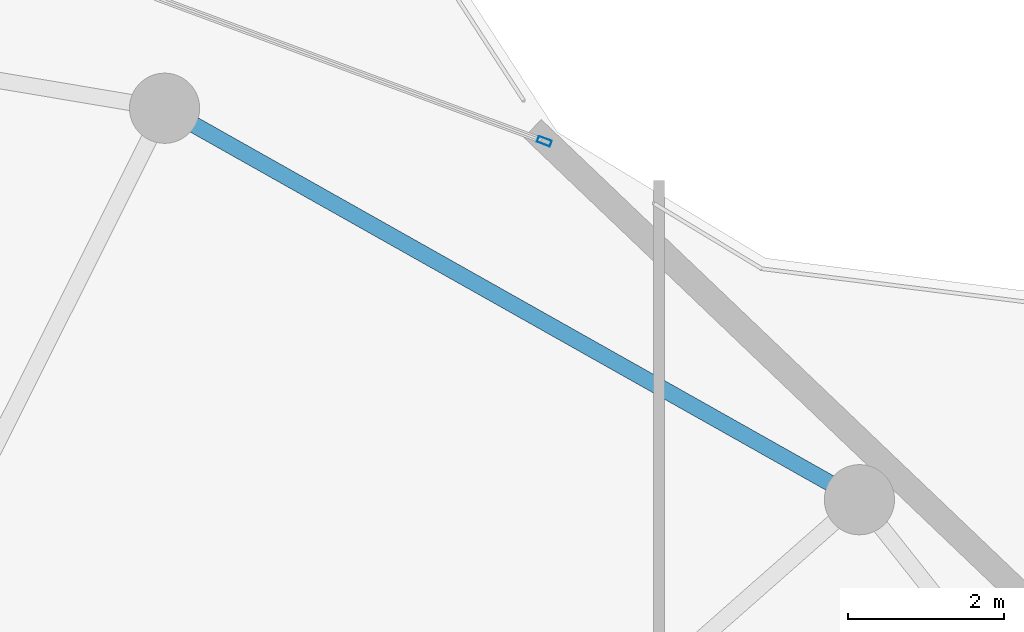
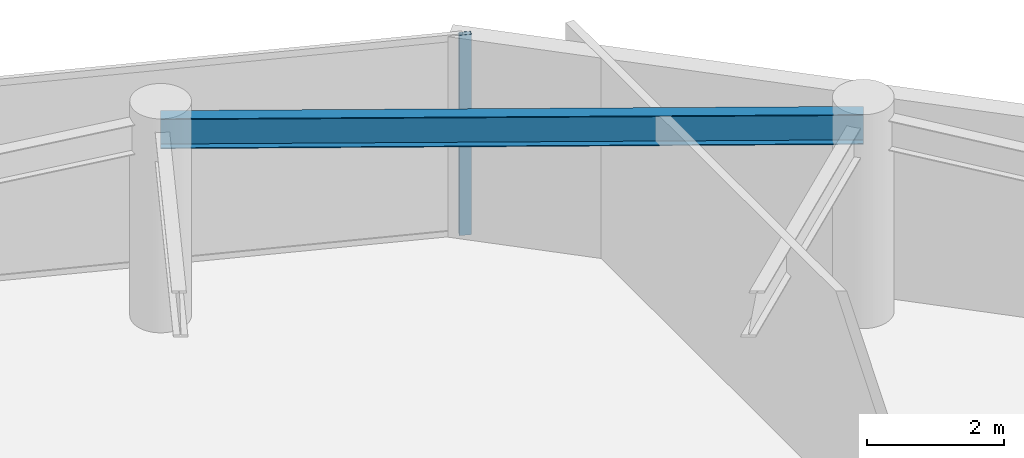
# One storey, part 22 of 29: 1 beam, 1 member, 1 element without a shape of its own.
"""IFC4 building model written with IfcOpenShell, lengths in metres."""

from ifc_helpers import new_model, si_unit, direction, frame, origin, origin_2d, place, context, subcontext, project, spatial, hollow_rectangle, i_section, extrude, material, layer, layer_set, material_profile, profile_set, type_object, element, aggregate, save


model = new_model("IFC4")

# Units and contexts
model_context = context("Model", 3, precision=1e-05, world=origin(), true_north=direction((0.0, 1.0)))
body_context = subcontext(model_context, "Body", "Model", "MODEL_VIEW")
ifc_project = project(units=[si_unit("LENGTHUNIT", "METRE"), si_unit("AREAUNIT", "SQUARE_METRE"), si_unit("VOLUMEUNIT", "CUBIC_METRE"), si_unit("PLANEANGLEUNIT", "RADIAN"), si_unit("MASSUNIT", "GRAM", prefix="KILO")], contexts=[model_context])

# Site, building, storey
site_placement = place(None, origin())
site = spatial("IfcSite", under=ifc_project, at=site_placement, CompositionType="ELEMENT")
building_placement = place(site_placement, origin())
building = spatial("IfcBuilding", under=site, at=building_placement, Name="Kazevale Care Tower and Concert Hall", CompositionType="ELEMENT")
storey_placement = place(building_placement, frame((0.0, 0.0, 281.39990234375)))
storey = spatial("IfcBuildingStorey", under=building, at=storey_placement, Name="L74", CompositionType="ELEMENT", Elevation=281.39990234375)

# Curtain wall, member
ifc_material_1 = material(Name="Aluminium 6063-T6 and Low-E Glass", Category="aluminium")
ifc_layer = layer(ifc_material_1, 0.179931640625)
ifc_layer_set = layer_set([ifc_layer], Name="Aluminium 6063-T6 and Low-E Glass")
curtain_wall_type = type_object("IfcCurtainWallType", Name="Convex Checkerboard Finned Curtain Wall CW-2", PredefinedType="NOTDEFINED", material=ifc_layer_set)
curtain_wall_placement = place(storey_placement, origin())
curtain_wall = element("IfcCurtainWall", 1, at=curtain_wall_placement, inside=storey, type_object=curtain_wall_type, Name="cw:L74:f16", PredefinedType="NOTDEFINED")
ifc_material_2 = material(Name="Aluminium 6063-T6", Category="aluminium")
ifc_material_profile_1 = material_profile(ifc_material_2, hollow_rectangle(XDim=0.080078125, YDim=0.179931640625, WallThickness=0.0048828125, at=origin_2d()), Name="ALU80x180x5")
ifc_profile_set_1 = profile_set([ifc_material_profile_1], Name="Aluminium 6063-T6")
member_type = type_object("IfcMemberType", Name="CW-2 Mullion ALU80x180x5", PredefinedType="MULLION", material=ifc_profile_set_1)
member_placement = place(storey_placement, frame((60.369384765625, 58.96484375, 0.0), z_axis=(0.0, 0.0, 1.0), x_axis=(0.346863695471, 0.937915548844, 0.0)))
member = element("IfcMember", 2, at=member_placement, type_object=member_type, Name="CW-2 mullion 2", PredefinedType="MULLION", context=body_context, shape_type="SweptSolid", body=[
    extrude(hollow_rectangle(XDim=0.080078125, YDim=0.179931640625, WallThickness=0.0048828125, at=origin_2d()), origin(), (0.0, 0.0, 1.0), 3.56005859375),
])
aggregate(curtain_wall, [member])

# Beam
ifc_material_3 = material(Name="Steel ASTM A572 Gr 50", Category="steel")
ifc_material_profile_2 = material_profile(ifc_material_3, i_section(OverallWidth=0.208984375, OverallDepth=0.532958984375, WebThickness=0.01025390625, FlangeThickness=0.015625, at=origin_2d()), Name="W530x92")
ifc_profile_set_2 = profile_set([ifc_material_profile_2], Name="Steel ASTM A572 Gr 50")
beam_type = type_object("IfcBeamType", Name="Upper Ring Beam W530x92", PredefinedType="BEAM", material=ifc_profile_set_2)
beam_placement = place(storey_placement, frame((64.409912109375, 54.3701171875, 3.293701171875), z_axis=(-0.871243170179, 0.490851646035, 0.0), x_axis=(-0.490851646035, -0.871243170179, 0.0)))
element("IfcBeam", 3, at=beam_placement, inside=storey, type_object=beam_type, Name="beam:L74:ring:03", PredefinedType="BEAM", context=body_context, shape_type="SweptSolid", body=[
    extrude(i_section(OverallWidth=0.208984375, OverallDepth=0.532958984375, WebThickness=0.01025390625, FlangeThickness=0.015625, at=origin_2d()), origin(), (0.0, 0.0, 1.0), 10.2265625),
])

save(model, "model.ifc")
